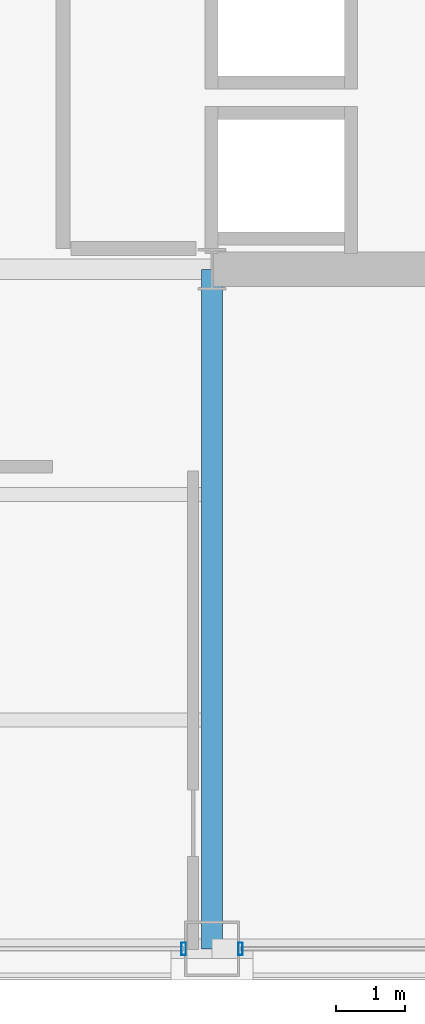
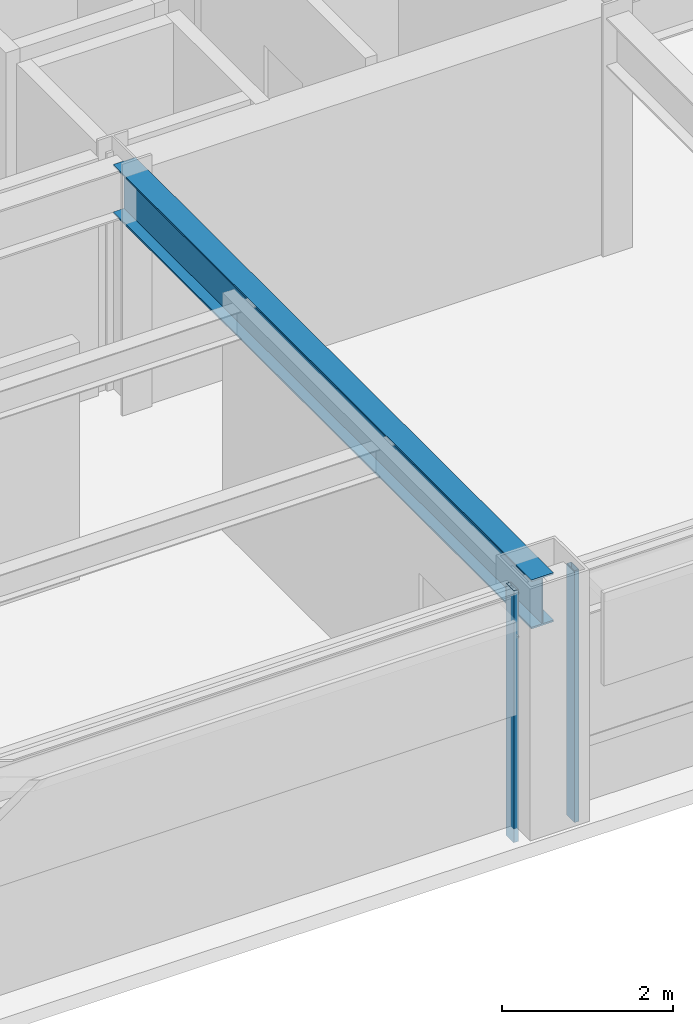
# One storey, part 6 of 29: 2 members, 1 beam, 2 elements without a shape of their own.
"""IFC4 building model written with IfcOpenShell, lengths in metres."""

import ifcopenshell
import ifcopenshell.guid

model = None  # the IFC model being written
_history = None  # IfcOwnerHistory: only IFC2X3 demands one
_inside = {}  # id of a spatial element -> (the spatial element, [elements in it])
_under = {}  # id of a project, library or spatial element -> (it, [spatial elements below it])
_declared = {}  # id of a project -> (the project, [libraries it declares])
_typed = {}  # id of a type object -> (the type object, [elements of that type])
_made_of = {}  # id of a material, layer set ... -> (it, [elements and type objects made of it])


def new_model(schema):
    """Start an empty IFC model of exactly this schema.

    Asked for "IFC4X3", IfcOpenShell would pick the latest addendum, in which some entities
    have other attributes; the version numbers below select the first issue.
    IFC2X3 requires an IfcOwnerHistory on every rooted entity: one is made here for all.
    """
    global model, _history
    if schema == "IFC4X3":
        model = ifcopenshell.file(schema_version=(4, 3, 0, 0))
    else:
        model = ifcopenshell.file(schema=schema)
    _inside.clear()
    _under.clear()
    _declared.clear()
    _typed.clear()
    _made_of.clear()
    _history = None
    if model.schema == "IFC2X3":
        org = make("IfcOrganization", Name="unknown")
        user = make(
            "IfcPersonAndOrganization",
            ThePerson=make("IfcPerson", FamilyName="unknown"),
            TheOrganization=org,
        )
        app = make(
            "IfcApplication",
            ApplicationDeveloper=org,
            Version="unknown",
            ApplicationFullName="unknown",
            ApplicationIdentifier="unknown",
        )
        _history = make(
            "IfcOwnerHistory",
            OwningUser=user,
            OwningApplication=app,
            ChangeAction="ADDED",
            CreationDate=0,
        )
    return model


def make(cls, **values):
    """One entity of the class cls with the attributes given. An attribute that is None is left unset."""
    return model.create_entity(
        cls, **{name: value for name, value in values.items() if value is not None}
    )


def rooted(cls, **values):
    """An entity with a GlobalId (a new one), such as an element, a storey or a relation."""
    return make(cls, GlobalId=ifcopenshell.guid.new(), OwnerHistory=_history, **values)


def si_unit(unit_type, name, prefix=None):
    """IfcSIUnit, for example si_unit("LENGTHUNIT", "METRE", prefix="MILLI")."""
    return make("IfcSIUnit", UnitType=unit_type, Prefix=prefix, Name=name)


def assignment(units):
    """IfcUnitAssignment: the units of a project."""
    return None if units is None else make("IfcUnitAssignment", Units=units)


def point(xyz):
    """IfcCartesianPoint."""
    return None if xyz is None else make("IfcCartesianPoint", Coordinates=xyz)


def direction(xyz):
    """IfcDirection."""
    return None if xyz is None else make("IfcDirection", DirectionRatios=xyz)


def frame(location, z_axis=None, x_axis=None):
    """IfcAxis2Placement3D, a coordinate frame: its origin and axes. An axis left out is left unset."""
    return make(
        "IfcAxis2Placement3D",
        Location=point(location),
        Axis=direction(z_axis),
        RefDirection=direction(x_axis),
    )


def frame_2d(location, x_axis=None):
    """IfcAxis2Placement2D, a coordinate frame in the plane: its origin and x axis."""
    return make(
        "IfcAxis2Placement2D", Location=point(location), RefDirection=direction(x_axis)
    )


def origin():
    """The frame at (0, 0, 0) with its axes left unset."""
    return frame((0.0, 0.0, 0.0))


def origin_2d():
    """The frame at (0, 0) in the plane with its x axis left unset."""
    return frame_2d((0.0, 0.0))


def place(relative_to, where):
    """IfcLocalPlacement: puts the frame where relative to a parent placement (None: the world)."""
    return make(
        "IfcLocalPlacement", PlacementRelTo=relative_to, RelativePlacement=where
    )


def context(
    kind, dimensions, precision=None, world=None, true_north=None, identifier=None
):
    """IfcGeometricRepresentationContext, for example the 3D "Model" context."""
    return make(
        "IfcGeometricRepresentationContext",
        ContextIdentifier=identifier,
        ContextType=kind,
        CoordinateSpaceDimension=dimensions,
        Precision=precision,
        WorldCoordinateSystem=world,
        TrueNorth=true_north,
    )


def subcontext(parent, identifier, kind, view, scale=None):
    """IfcGeometricRepresentationSubContext, for example "Body" below "Model"."""
    return make(
        "IfcGeometricRepresentationSubContext",
        ContextIdentifier=identifier,
        ContextType=kind,
        ParentContext=parent,
        TargetScale=scale,
        TargetView=view,
    )


def project(units=None, contexts=None):
    """IfcProject with its units and contexts."""
    return rooted(
        "IfcProject",
        Name="project",
        RepresentationContexts=contexts,
        UnitsInContext=assignment(units),
    )


def spatial(cls, under=None, at=None, **own):
    """A site, building, storey or space (cls), placed at a placement, below another one or the project."""
    s = rooted(cls, ObjectPlacement=at, **own)
    if under is not None:
        _under.setdefault(under.id(), (under, []))[1].append(s)
    return s


def profile(cls, at=None, kind="AREA", **sizes):
    """A parametric profile (cls). Its sizes go by their IFC names, for example OverallWidth=200.0."""
    return make(cls, ProfileType=kind, Position=at, **sizes)


def hollow_rectangle(**sizes):
    """IfcRectangleHollowProfileDef."""
    return profile("IfcRectangleHollowProfileDef", **sizes)


def i_section(**sizes):
    """IfcIShapeProfileDef."""
    return profile("IfcIShapeProfileDef", **sizes)


def extrude(swept, where, along, depth):
    """IfcExtrudedAreaSolid: the profile swept, set in the frame where, extruded along a direction by depth."""
    return make(
        "IfcExtrudedAreaSolid",
        SweptArea=swept,
        Position=where,
        ExtrudedDirection=direction(along),
        Depth=depth,
    )


def shape(context_of_items, identifier, shape_type, items):
    """IfcShapeRepresentation: the items that make up one representation, for example the "Body"."""
    return make(
        "IfcShapeRepresentation",
        ContextOfItems=context_of_items,
        RepresentationIdentifier=identifier,
        RepresentationType=shape_type,
        Items=items,
    )


def material(Name=None, Category=None):
    """IfcMaterial."""
    return make("IfcMaterial", Name=Name, Category=Category)


def layer(
    of_material, thickness, ventilated=None, Name=None, Category=None, Priority=None
):
    """IfcMaterialLayer: one layer of a wall or slab, of a material (None: an air gap)."""
    return make(
        "IfcMaterialLayer",
        Material=of_material,
        LayerThickness=thickness,
        IsVentilated=ventilated,
        Name=Name,
        Category=Category,
        Priority=Priority,
    )


def layer_set(layers, Name=None):
    """IfcMaterialLayerSet."""
    return make("IfcMaterialLayerSet", MaterialLayers=layers, LayerSetName=Name)


def material_profile(
    of_material, cross_section, Name=None, Category=None, Priority=None
):
    """IfcMaterialProfile: a cross section and its material."""
    return make(
        "IfcMaterialProfile",
        Name=Name,
        Material=of_material,
        Profile=cross_section,
        Priority=Priority,
        Category=Category,
    )


def profile_set(profiles, Name=None, composite=None):
    """IfcMaterialProfileSet."""
    return make(
        "IfcMaterialProfileSet",
        Name=Name,
        MaterialProfiles=profiles,
        CompositeProfile=composite,
    )


def made_of(thing, what):
    """Note that an element or type object is made of a material, layer set ...; save() writes the relation."""
    if what is not None:
        _made_of.setdefault(what.id(), (what, []))[1].append(thing)
    return thing


def type_object(cls, material=None, **own):
    """A type object (cls), such as IfcWallType, which elements share."""
    return made_of(rooted(cls, **own), material)


def element(
    cls,
    number,
    at=None,
    inside=None,
    cuts=None,
    type_object=None,
    material=None,
    context=None,
    identifier="Body",
    shape_type=None,
    held_by="IfcProductDefinitionShape",
    body=None,
    shapes=None,
    **own,
):
    """One element of the class cls, such as IfcWall. Its Tag is "e" and its number.

    at: its placement. inside: the storey or other place that contains it. cuts: it is an
    opening in that element (IfcRelVoidsElement). A single representation is given by context,
    identifier, shape_type and body (its items); several are given by shapes. held_by: the class
    of the entity that holds the representations. save() writes the other relations.
    """
    e = rooted(cls, Tag="e%d" % number, ObjectPlacement=at, **own)
    if body is not None:
        shapes = [shape(context, identifier, shape_type, body)]
    if shapes is not None:
        e.Representation = make(held_by, Representations=shapes)
    if inside is not None:
        _inside.setdefault(inside.id(), (inside, []))[1].append(e)
    if cuts is not None:
        rooted(
            "IfcRelVoidsElement", RelatingBuildingElement=cuts, RelatedOpeningElement=e
        )
    if type_object is not None:
        _typed.setdefault(type_object.id(), (type_object, []))[1].append(e)
    return made_of(e, material)


def aggregate(whole, parts):
    """IfcRelAggregates: a whole, such as a stair, and the parts it consists of."""
    return rooted("IfcRelAggregates", RelatingObject=whole, RelatedObjects=parts)


def save(model, path):
    """Write the relations noted so far, then the file.

    IfcRelAggregates (storeys below a building ...), IfcRelContainedInSpatialStructure (elements
    in a storey), IfcRelDefinesByType, IfcRelAssociatesMaterial and IfcRelDeclares: one each for
    every whole, place, type object, material and project.
    """
    for whole, parts in _under.values():
        aggregate(whole, parts)
    for where, things in _inside.values():
        rooted(
            "IfcRelContainedInSpatialStructure",
            RelatedElements=things,
            RelatingStructure=where,
        )
    for kind, things in _typed.values():
        rooted("IfcRelDefinesByType", RelatedObjects=things, RelatingType=kind)
    for what, things in _made_of.values():
        rooted("IfcRelAssociatesMaterial", RelatedObjects=things, RelatingMaterial=what)
    for by, libraries in _declared.values():
        rooted("IfcRelDeclares", RelatingContext=by, RelatedDefinitions=libraries)
    model.write(path)


model = new_model("IFC4")

# Units and contexts
model_context = context("Model", 3, precision=1e-05, world=origin(), true_north=direction((0.0, 1.0)))
body_context = subcontext(model_context, "Body", "Model", "MODEL_VIEW")
ifc_project = project(units=[si_unit("LENGTHUNIT", "METRE"), si_unit("AREAUNIT", "SQUARE_METRE"), si_unit("VOLUMEUNIT", "CUBIC_METRE"), si_unit("PLANEANGLEUNIT", "RADIAN"), si_unit("MASSUNIT", "GRAM", prefix="KILO")], contexts=[model_context])

# Site, building, storey
site_placement = place(None, origin())
site = spatial("IfcSite", under=ifc_project, at=site_placement, CompositionType="ELEMENT")
building_placement = place(site_placement, origin())
building = spatial("IfcBuilding", under=site, at=building_placement, Name="Brelmoor Portico Tower", CompositionType="ELEMENT")
storey_placement = place(building_placement, frame((0.0, 0.0, 124.199951171875)))
storey = spatial("IfcBuildingStorey", under=building, at=storey_placement, Name="L32", CompositionType="ELEMENT", Elevation=124.199951171875)

# Beam
ifc_material_1 = material(Name="Steel Q355B", Category="steel")
ifc_material_profile_1 = material_profile(ifc_material_1, i_section(OverallWidth=0.300048828125, OverallDepth=0.699951171875, WebThickness=0.012939453125, FlangeThickness=0.02392578125, at=origin_2d()), Name="HN 700x300x13x24")
ifc_profile_set_1 = profile_set([ifc_material_profile_1], Name="Steel Q355B")
beam_type = type_object("IfcBeamType", Name="BM-PG-700", PredefinedType="BEAM", material=ifc_profile_set_1)
beam_placement = place(storey_placement, frame((8.050048828125, -19.550048828125, 3.050048828125), z_axis=(0.0, 1.0, 0.0), x_axis=(-1.0, 0.0, 0.0)))
element("IfcBeam", 1, at=beam_placement, inside=storey, type_object=beam_type, Name="L32 Primary Floor Girder PG-08", PredefinedType="BEAM", context=body_context, shape_type="SweptSolid", body=[
    extrude(i_section(OverallWidth=0.300048828125, OverallDepth=0.699951171875, WebThickness=0.012939453125, FlangeThickness=0.02392578125, at=origin_2d()), origin(), (0.0, 0.0, 1.0), 9.800048828125),
])

# Curtain wall, member
ifc_material_2 = material(Name="Anodised Aluminium Alloy 6063-T6", Category="aluminium")
ifc_layer_1 = layer(ifc_material_2, 0.179931640625)
ifc_layer_set_1 = layer_set([ifc_layer_1], Name="Anodised Aluminium Alloy 6063-T6")
curtain_wall_type_1 = type_object("IfcCurtainWallType", Name="CW-TOWER-Z2-XB", PredefinedType="NOTDEFINED", material=ifc_layer_set_1)
curtain_wall_1_placement = place(storey_placement, origin())
curtain_wall_1 = element("IfcCurtainWall", 2, at=curtain_wall_1_placement, inside=storey, type_object=curtain_wall_type_1, Name="L32 Curtain Wall CW-L32-01-3", PredefinedType="NOTDEFINED")
ifc_material_profile_2 = material_profile(ifc_material_2, hollow_rectangle(XDim=0.06494140625, YDim=0.179931640625, WallThickness=0.00390625, at=origin_2d()), Name="ALU MULLION 65x180")
ifc_profile_set_2 = profile_set([ifc_material_profile_2], Name="Anodised Aluminium Alloy 6063-T6")
member_type = type_object("IfcMemberType", Name="MB-CW-MULL-180", PredefinedType="MULLION", material=ifc_profile_set_2)
member_1_placement = place(storey_placement, frame((7.639892578125, -19.550048828125, -0.199951171875), z_axis=(0.0, 0.0, 1.0), x_axis=(1.0, 0.0, 0.0)))
member_1 = element("IfcMember", 3, at=member_1_placement, type_object=member_type, Name="CW-L32-01-3 Mullion 01", PredefinedType="MULLION", context=body_context, shape_type="SweptSolid", body=[
    extrude(hollow_rectangle(XDim=0.06494140625, YDim=0.179931640625, WallThickness=0.00390625, at=origin_2d()), origin(), (0.0, 0.0, 1.0), 3.60009765625),
])
aggregate(curtain_wall_1, [member_1])

ifc_layer_2 = layer(ifc_material_2, 0.179931640625)
ifc_layer_set_2 = layer_set([ifc_layer_2], Name="Anodised Aluminium Alloy 6063-T6")
curtain_wall_type_2 = type_object("IfcCurtainWallType", Name="CW-TOWER-Z2", PredefinedType="NOTDEFINED", material=ifc_layer_set_2)
curtain_wall_2_placement = place(storey_placement, origin())
curtain_wall_2 = element("IfcCurtainWall", 4, at=curtain_wall_2_placement, inside=storey, type_object=curtain_wall_type_2, Name="L32 Curtain Wall CW-L32-01-4", PredefinedType="NOTDEFINED")
member_2_placement = place(storey_placement, frame((8.4599609375, -19.550048828125, -0.199951171875), z_axis=(0.0, 0.0, 1.0), x_axis=(1.0, 0.0, 0.0)))
member_2 = element("IfcMember", 5, at=member_2_placement, type_object=member_type, Name="CW-L32-01-4 Mullion 00", PredefinedType="MULLION", context=body_context, shape_type="SweptSolid", body=[
    extrude(hollow_rectangle(XDim=0.06494140625, YDim=0.179931640625, WallThickness=0.00390625, at=origin_2d()), origin(), (0.0, 0.0, 1.0), 3.60009765625),
])
aggregate(curtain_wall_2, [member_2])

save(model, "model.ifc")
